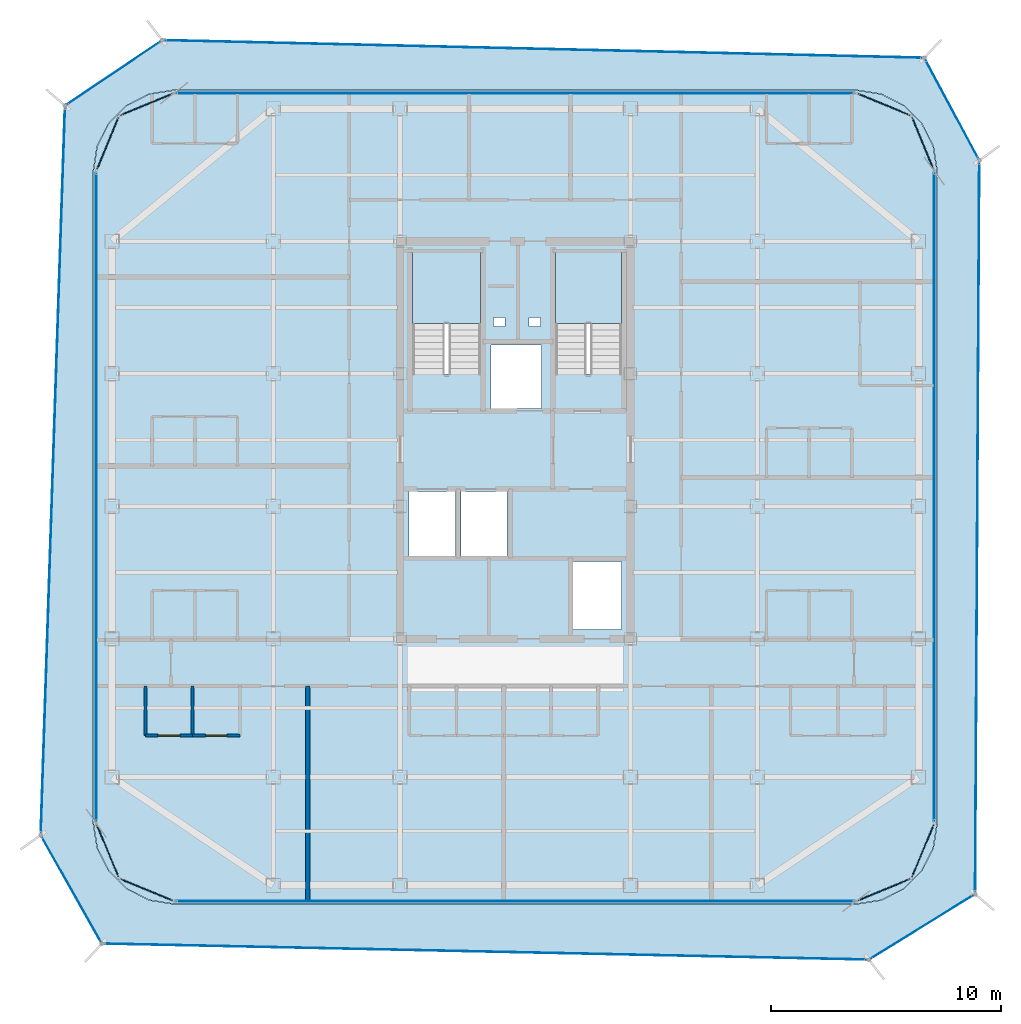
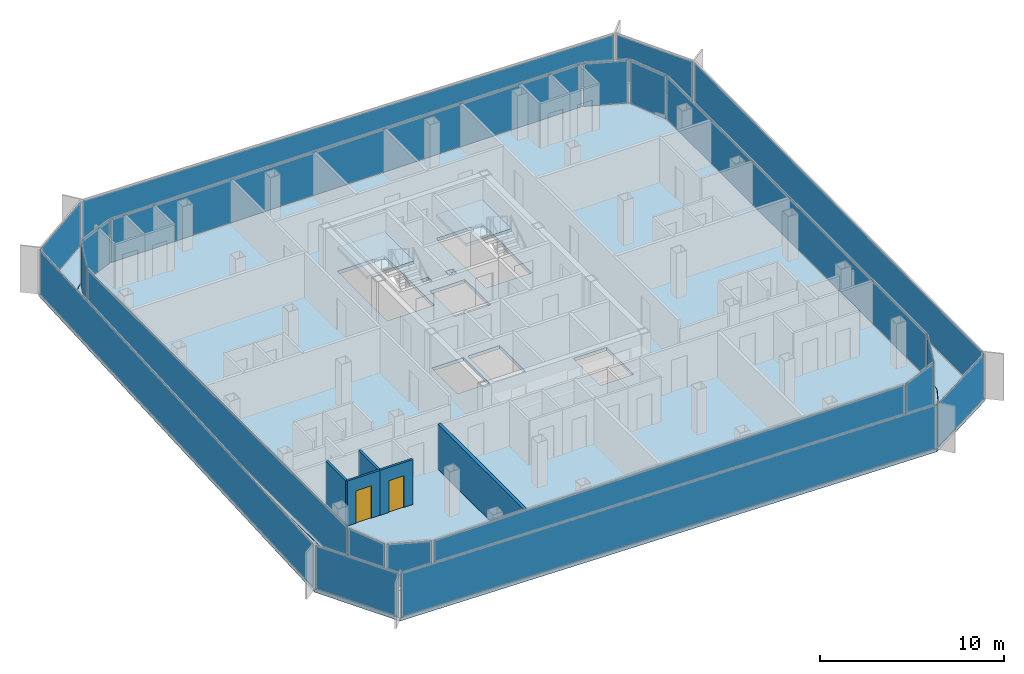
# One storey, part 9 of 16: 20 plates, 5 walls, 4 slabs, 2 doors, 2 openings, 22 elements without a shape of their own.
"""IFC4 building model written with IfcOpenShell, lengths in metres."""

from ifc_helpers import new_model, si_unit, direction, frame, frame_2d, origin, origin_2d, place, context, subcontext, project, spatial, polyline, rectangle, outline, extrude, source, transform, mapped, material, layer, layer_set, type_object, element, fill, aggregate, save


model = new_model("IFC4")

# Units and contexts
model_context = context("Model", 3, precision=1e-05, world=origin(), true_north=direction((0.0, 1.0)))
body_context = subcontext(model_context, "Body", "Model", "MODEL_VIEW")
ifc_project = project(units=[si_unit("LENGTHUNIT", "METRE"), si_unit("AREAUNIT", "SQUARE_METRE"), si_unit("VOLUMEUNIT", "CUBIC_METRE"), si_unit("PLANEANGLEUNIT", "RADIAN"), si_unit("MASSUNIT", "GRAM", prefix="KILO")], contexts=[model_context])

# Site, building, storey
site_placement = place(None, origin())
site = spatial("IfcSite", under=ifc_project, at=site_placement, CompositionType="ELEMENT")
building_placement = place(site_placement, origin())
building = spatial("IfcBuilding", under=site, at=building_placement, Name="Kolveth Station Tower", CompositionType="ELEMENT")
storey_placement = place(building_placement, frame((0.0, 0.0, 232.89990234375)))
storey = spatial("IfcBuildingStorey", under=building, at=storey_placement, Name="L66", CompositionType="ELEMENT", Elevation=232.89990234375)

# Slab
ifc_material_1 = material(Name="Concrete C40/50", Category="concrete")
ifc_layer_1 = layer(ifc_material_1, 0.219970703125)
ifc_layer_set_1 = layer_set([ifc_layer_1], Name="Concrete C40/50")
slab_type_1 = type_object("IfcSlabType", Name="Slab_SF-220", PredefinedType="FLOOR", material=ifc_layer_set_1)
slab_1_placement = place(storey_placement, frame((0.0, 0.0, -0.219970703125)))
element("IfcSlab", 1, at=slab_1_placement, inside=storey, type_object=slab_type_1, Name="L66 Tower Structural Floor Slab", PredefinedType="FLOOR", context=body_context, shape_type="SweptSolid", body=[
    extrude(outline(polyline([(38.300048828125, 0.0), (39.381591796875, 0.17138671875), (40.357177734375, 0.66845703125), (41.131591796875, 1.44287109375), (41.628662109375, 2.41845703125), (41.800048828125, 3.5), (41.800048828125, 31.800048828125), (41.628662109375, 32.881591796875), (41.131591796875, 33.857177734375), (40.357177734375, 34.631591796875), (39.381591796875, 35.128662109375), (38.300048828125, 35.300048828125), (8.699951171875, 35.300048828125), (7.618408203125, 35.128662109375), (6.642822265625, 34.631591796875), (5.868408203125, 33.857177734375), (5.371337890625, 32.881591796875), (5.199951171875, 31.800048828125), (5.199951171875, 3.5), (5.371337890625, 2.41845703125), (5.868408203125, 1.44287109375), (6.642822265625, 0.66845703125), (7.618408203125, 0.17138671875), (8.699951171875, 0.0), (38.300048828125, 0.0)]), holes=[polyline([(19.0400390625, 22.985107421875), (22.0, 22.985107421875), (22.0, 28.39990234375), (19.0400390625, 28.39990234375), (19.0400390625, 22.985107421875)]), polyline([(25.239990234375, 22.985107421875), (28.10009765625, 22.985107421875), (28.10009765625, 28.39990234375), (25.239990234375, 28.39990234375), (25.239990234375, 22.985107421875)]), polyline([(18.89990234375, 15.10009765625), (20.89990234375, 15.10009765625), (20.89990234375, 17.89990234375), (18.89990234375, 17.89990234375), (18.89990234375, 15.10009765625)]), polyline([(21.14990234375, 15.10009765625), (23.14990234375, 15.10009765625), (23.14990234375, 17.89990234375), (21.14990234375, 17.89990234375), (21.14990234375, 15.10009765625)]), polyline([(22.449951171875, 21.5), (24.64990234375, 21.5), (24.64990234375, 24.25), (22.449951171875, 24.25), (22.449951171875, 21.5)]), polyline([(26.0, 11.89990234375), (28.10009765625, 11.89990234375), (28.10009765625, 14.85009765625), (26.0, 14.85009765625), (26.0, 11.89990234375)]), polyline([(22.550048828125, 25.050048828125), (23.050048828125, 25.050048828125), (23.050048828125, 25.449951171875), (22.550048828125, 25.449951171875), (22.550048828125, 25.050048828125)]), polyline([(24.10009765625, 25.050048828125), (24.60009765625, 25.050048828125), (24.60009765625, 25.449951171875), (24.10009765625, 25.449951171875), (24.10009765625, 25.050048828125)])]), origin(), (0.0, 0.0, 1.0), 0.219970703125),
])

# Stair, slab
stair_type_1 = type_object("IfcStairType", Name="Stair_ST2", PredefinedType="HALF_TURN_STAIR", material=ifc_material_1)
stair_1_placement = place(storey_placement, origin())
stair_1 = element("IfcStair", 2, at=stair_1_placement, inside=storey, type_object=stair_type_1, Name="L66 Tower Exit Stair ST2", PredefinedType="HALF_TURN_STAIR")
ifc_layer_2 = layer(ifc_material_1, 0.18994140625)
ifc_layer_set_2 = layer_set([ifc_layer_2], Name="Concrete C40/50")
slab_type_2 = type_object("IfcSlabType", Name="Slab_SL-190", PredefinedType="LANDING", material=ifc_layer_set_2)
slab_2_placement = place(storey_placement, frame((0.0, 0.0, 1.400146484375)))
slab_2 = element("IfcSlab", 3, at=slab_2_placement, type_object=slab_type_2, Name="ST2 landing 1", PredefinedType="LANDING", context=body_context, shape_type="SweptSolid", body=[
    extrude(outline(polyline([(28.10009765625, 25.18994140625), (28.10009765625, 28.39990234375), (25.239990234375, 28.39990234375), (25.239990234375, 25.18994140625), (28.10009765625, 25.18994140625)])), origin(), (0.0, 0.0, 1.0), 0.199951171875),
])
aggregate(stair_1, [slab_2])

stair_type_2 = type_object("IfcStairType", Name="Stair_ST1", PredefinedType="HALF_TURN_STAIR", material=ifc_material_1)
stair_2_placement = place(storey_placement, origin())
stair_2 = element("IfcStair", 4, at=stair_2_placement, inside=storey, type_object=stair_type_2, Name="L66 Tower Exit Stair ST1", PredefinedType="HALF_TURN_STAIR")
ifc_layer_3 = layer(ifc_material_1, 0.205078125)
ifc_layer_set_3 = layer_set([ifc_layer_3], Name="Concrete C40/50")
slab_type_3 = type_object("IfcSlabType", Name="Slab_SL-205", PredefinedType="LANDING", material=ifc_layer_set_3)
slab_3_placement = place(storey_placement, frame((0.0, 0.0, 1.400146484375)))
slab_3 = element("IfcSlab", 5, at=slab_3_placement, type_object=slab_type_3, Name="ST1 landing 1", PredefinedType="LANDING", context=body_context, shape_type="SweptSolid", body=[
    extrude(outline(polyline([(22.0, 25.18994140625), (22.0, 28.39990234375), (19.0400390625, 28.39990234375), (19.0400390625, 25.18994140625), (22.0, 25.18994140625)])), origin(), (0.0, 0.0, 1.0), 0.199951171875),
])
aggregate(stair_2, [slab_3])

# Slab
ifc_layer_4 = layer(ifc_material_1, 0.2099609375)
ifc_layer_set_4 = layer_set([ifc_layer_4], Name="Concrete C40/50")
slab_type_4 = type_object("IfcSlabType", Name="Slab_ST-210", PredefinedType="FLOOR", material=ifc_layer_set_4)
slab_4_placement = place(storey_placement, frame((0.0, 0.0, -0.2099609375)))
element("IfcSlab", 6, at=slab_4_placement, inside=storey, type_object=slab_type_4, Name="L66 Double-Skin Cavity Structural Ledger Ring", PredefinedType="FLOOR", context=body_context, shape_type="SweptSolid", body=[
    extrude(outline(polyline([(5.568359375, -1.724853515625), (2.91455078125, 2.986328125), (3.968994140625, 34.630615234375), (8.185791015625, 37.471923828125), (41.25, 36.70751953125), (43.63818359375, 32.25830078125), (43.45654296875, 0.425537109375), (38.844970703125, -2.4208984375), (5.568359375, -1.724853515625)]), holes=[polyline([(38.30224609375, -0.014892578125), (39.3837890625, 0.156494140625), (39.388427734375, 0.157958984375), (40.364013671875, 0.655029296875), (40.367919921875, 0.65771484375), (41.14208984375, 1.43212890625), (41.14501953125, 1.43603515625), (41.64208984375, 2.41162109375), (41.6435546875, 2.416015625), (41.814697265625, 3.497802734375), (41.81494140625, 3.5), (41.81494140625, 31.800048828125), (41.814697265625, 31.80224609375), (41.6435546875, 32.8837890625), (41.64208984375, 32.888427734375), (41.14501953125, 33.864013671875), (41.14208984375, 33.867919921875), (40.367919921875, 34.64208984375), (40.364013671875, 34.64501953125), (39.388427734375, 35.14208984375), (39.3837890625, 35.1435546875), (38.30224609375, 35.314697265625), (38.300048828125, 35.31494140625), (8.699951171875, 35.31494140625), (8.69775390625, 35.314697265625), (7.6162109375, 35.1435546875), (7.611572265625, 35.14208984375), (6.635986328125, 34.64501953125), (6.632080078125, 34.64208984375), (5.85791015625, 33.867919921875), (5.85498046875, 33.864013671875), (5.35791015625, 32.888427734375), (5.3564453125, 32.8837890625), (5.185302734375, 31.80224609375), (5.18505859375, 31.800048828125), (5.18505859375, 3.5), (5.185302734375, 3.497802734375), (5.3564453125, 2.416015625), (5.35791015625, 2.41162109375), (5.85498046875, 1.43603515625), (5.85791015625, 1.43212890625), (6.632080078125, 0.65771484375), (6.635986328125, 0.655029296875), (7.611572265625, 0.157958984375), (7.6162109375, 0.156494140625), (8.69775390625, -0.014892578125), (8.699951171875, -0.014892578125), (38.300048828125, -0.014892578125), (38.30224609375, -0.014892578125)])]), origin(), (0.0, 0.0, 1.0), 0.2099609375),
])

# Curtain wall, plate
ifc_material_2 = material(Name="Aluminium 6063-T6 and triple low-E dark glass", Category="aluminium")
ifc_layer_5 = layer(ifc_material_2, 0.199951171875)
ifc_layer_set_5 = layer_set([ifc_layer_5], Name="Aluminium 6063-T6 and triple low-E dark glass")
curtain_wall_type_1 = type_object("IfcCurtainWallType", Name="CurtainWall_CW-Z3", PredefinedType="NOTDEFINED", material=ifc_layer_set_5)
curtain_wall_1_placement = place(storey_placement, origin())
curtain_wall_1 = element("IfcCurtainWall", 7, at=curtain_wall_1_placement, inside=storey, type_object=curtain_wall_type_1, Name="L66 Inner Thermal Curtain Wall 1", PredefinedType="NOTDEFINED")
ifc_material_3 = material(Name="Architectural low-E dark glass", Category="glass")
ifc_layer_6 = layer(ifc_material_3, 0.0419921875)
ifc_layer_set_6 = layer_set([ifc_layer_6], Name="Architectural low-E dark glass")
plate_type_1 = type_object("IfcPlateType", Name="Panel_GL3", PredefinedType="CURTAIN_PANEL", material=ifc_layer_set_6)
shared_shape_1 = source(origin(), body_context, "Body", "SweptSolid", [
    extrude(rectangle(XDim=2.430908203125, YDim=0.0419921875, at=origin_2d()), origin(), (0.0, 0.0, 1.0), 2.823974609375),
])
plate_1_placement = place(storey_placement, frame((39.4951171875, 0.614990234375, 0.078125), z_axis=(0.0, 0.0, 1.0), x_axis=(0.923875488975, 0.382693194181, 0.0)))
plate_1 = element("IfcPlate", 8, at=plate_1_placement, type_object=plate_type_1, Name="CW-Z3 panel 1.1", PredefinedType="CURTAIN_PANEL", context=body_context, shape_type="MappedRepresentation", body=[
    mapped(shared_shape_1, transform((0.0, 0.0, 0.0), x_axis=(1.0, 0.0, 0.0), y_axis=(0.0, 1.0, 0.0), z_axis=(0.0, 0.0, 1.0), scale=1.0)),
])
aggregate(curtain_wall_1, [plate_1])

curtain_wall_2_placement = place(storey_placement, origin())
curtain_wall_2 = element("IfcCurtainWall", 9, at=curtain_wall_2_placement, inside=storey, type_object=curtain_wall_type_1, Name="L66 Inner Thermal Curtain Wall 2", PredefinedType="NOTDEFINED")
plate_2_placement = place(storey_placement, frame((41.18505859375, 2.304931640625, 0.078125), z_axis=(0.0, 0.0, 1.0), x_axis=(0.382693194181, 0.923875488975, 0.0)))
plate_2 = element("IfcPlate", 10, at=plate_2_placement, type_object=plate_type_1, Name="CW-Z3 panel 1.1", PredefinedType="CURTAIN_PANEL", context=body_context, shape_type="MappedRepresentation", body=[
    mapped(shared_shape_1, transform((0.0, 0.0, 0.0), x_axis=(1.0, 0.0, 0.0), y_axis=(0.0, 1.0, 0.0), z_axis=(0.0, 0.0, 1.0), scale=1.0)),
])
aggregate(curtain_wall_2, [plate_2])

curtain_wall_3_placement = place(storey_placement, origin())
curtain_wall_3 = element("IfcCurtainWall", 11, at=curtain_wall_3_placement, inside=storey, type_object=curtain_wall_type_1, Name="L66 Inner Thermal Curtain Wall 4", PredefinedType="NOTDEFINED")
plate_3_placement = place(storey_placement, frame((41.18505859375, 32.9951171875, 0.078125), z_axis=(0.0, 0.0, 1.0), x_axis=(-0.382693194181, 0.923875488975, 0.0)))
plate_3 = element("IfcPlate", 12, at=plate_3_placement, type_object=plate_type_1, Name="CW-Z3 panel 1.1", PredefinedType="CURTAIN_PANEL", context=body_context, shape_type="MappedRepresentation", body=[
    mapped(shared_shape_1, transform((0.0, 0.0, 0.0), x_axis=(1.0, 0.0, 0.0), y_axis=(0.0, 1.0, 0.0), z_axis=(0.0, 0.0, 1.0), scale=1.0)),
])
aggregate(curtain_wall_3, [plate_3])

curtain_wall_4_placement = place(storey_placement, origin())
curtain_wall_4 = element("IfcCurtainWall", 13, at=curtain_wall_4_placement, inside=storey, type_object=curtain_wall_type_1, Name="L66 Inner Thermal Curtain Wall 5", PredefinedType="NOTDEFINED")
plate_4_placement = place(storey_placement, frame((39.4951171875, 34.68505859375, 0.078125), z_axis=(0.0, 0.0, 1.0), x_axis=(-0.923875488975, 0.382693194181, 0.0)))
plate_4 = element("IfcPlate", 14, at=plate_4_placement, type_object=plate_type_1, Name="CW-Z3 panel 1.1", PredefinedType="CURTAIN_PANEL", context=body_context, shape_type="MappedRepresentation", body=[
    mapped(shared_shape_1, transform((0.0, 0.0, 0.0), x_axis=(1.0, 0.0, 0.0), y_axis=(0.0, 1.0, 0.0), z_axis=(0.0, 0.0, 1.0), scale=1.0)),
])
aggregate(curtain_wall_4, [plate_4])

curtain_wall_5_placement = place(storey_placement, origin())
curtain_wall_5 = element("IfcCurtainWall", 15, at=curtain_wall_5_placement, inside=storey, type_object=curtain_wall_type_1, Name="L66 Inner Thermal Curtain Wall 7", PredefinedType="NOTDEFINED")
plate_5_placement = place(storey_placement, frame((7.5048828125, 34.68505859375, 0.078125), z_axis=(0.0, 0.0, 1.0), x_axis=(-0.923875488975, -0.382693194181, 0.0)))
plate_5 = element("IfcPlate", 16, at=plate_5_placement, type_object=plate_type_1, Name="CW-Z3 panel 1.1", PredefinedType="CURTAIN_PANEL", context=body_context, shape_type="MappedRepresentation", body=[
    mapped(shared_shape_1, transform((0.0, 0.0, 0.0), x_axis=(1.0, 0.0, 0.0), y_axis=(0.0, 1.0, 0.0), z_axis=(0.0, 0.0, 1.0), scale=1.0)),
])
aggregate(curtain_wall_5, [plate_5])

curtain_wall_6_placement = place(storey_placement, origin())
curtain_wall_6 = element("IfcCurtainWall", 17, at=curtain_wall_6_placement, inside=storey, type_object=curtain_wall_type_1, Name="L66 Inner Thermal Curtain Wall 8", PredefinedType="NOTDEFINED")
plate_6_placement = place(storey_placement, frame((5.81494140625, 32.9951171875, 0.078125), z_axis=(0.0, 0.0, 1.0), x_axis=(-0.382693194181, -0.923875488975, 0.0)))
plate_6 = element("IfcPlate", 18, at=plate_6_placement, type_object=plate_type_1, Name="CW-Z3 panel 1.1", PredefinedType="CURTAIN_PANEL", context=body_context, shape_type="MappedRepresentation", body=[
    mapped(shared_shape_1, transform((0.0, 0.0, 0.0), x_axis=(1.0, 0.0, 0.0), y_axis=(0.0, 1.0, 0.0), z_axis=(0.0, 0.0, 1.0), scale=1.0)),
])
aggregate(curtain_wall_6, [plate_6])

curtain_wall_7_placement = place(storey_placement, origin())
curtain_wall_7 = element("IfcCurtainWall", 19, at=curtain_wall_7_placement, inside=storey, type_object=curtain_wall_type_1, Name="L66 Inner Thermal Curtain Wall 10", PredefinedType="NOTDEFINED")
plate_7_placement = place(storey_placement, frame((5.81494140625, 2.304931640625, 0.078125), z_axis=(0.0, 0.0, 1.0), x_axis=(0.382693194181, -0.923875488975, 0.0)))
plate_7 = element("IfcPlate", 20, at=plate_7_placement, type_object=plate_type_1, Name="CW-Z3 panel 1.1", PredefinedType="CURTAIN_PANEL", context=body_context, shape_type="MappedRepresentation", body=[
    mapped(shared_shape_1, transform((0.0, 0.0, 0.0), x_axis=(1.0, 0.0, 0.0), y_axis=(0.0, 1.0, 0.0), z_axis=(0.0, 0.0, 1.0), scale=1.0)),
])
aggregate(curtain_wall_7, [plate_7])

curtain_wall_8_placement = place(storey_placement, origin())
curtain_wall_8 = element("IfcCurtainWall", 21, at=curtain_wall_8_placement, inside=storey, type_object=curtain_wall_type_1, Name="L66 Inner Thermal Curtain Wall 11", PredefinedType="NOTDEFINED")
plate_8_placement = place(storey_placement, frame((7.5048828125, 0.614990234375, 0.078125), z_axis=(0.0, 0.0, 1.0), x_axis=(0.923875488975, -0.382693194181, 0.0)))
plate_8 = element("IfcPlate", 22, at=plate_8_placement, type_object=plate_type_1, Name="CW-Z3 panel 1.1", PredefinedType="CURTAIN_PANEL", context=body_context, shape_type="MappedRepresentation", body=[
    mapped(shared_shape_1, transform((0.0, 0.0, 0.0), x_axis=(1.0, 0.0, 0.0), y_axis=(0.0, 1.0, 0.0), z_axis=(0.0, 0.0, 1.0), scale=1.0)),
])
aggregate(curtain_wall_8, [plate_8])

curtain_wall_9_placement = place(storey_placement, origin())
curtain_wall_9 = element("IfcCurtainWall", 23, at=curtain_wall_9_placement, inside=storey, type_object=curtain_wall_type_1, Name="L66 Inner Thermal Curtain Wall 3", PredefinedType="NOTDEFINED")
shared_shape_2 = source(origin(), body_context, "Body", "SweptSolid", [
    extrude(rectangle(XDim=28.14404296875, YDim=0.0419921875, at=origin_2d()), origin(), (0.0, 0.0, 1.0), 2.823974609375),
])
plate_9_placement = place(storey_placement, frame((41.679931640625, 17.64990234375, 0.078125), z_axis=(0.0, 0.0, 1.0), x_axis=(0.0, 1.0, 0.0)))
plate_9 = element("IfcPlate", 24, at=plate_9_placement, type_object=plate_type_1, Name="CW-Z3 panel 1.1", PredefinedType="CURTAIN_PANEL", context=body_context, shape_type="MappedRepresentation", body=[
    mapped(shared_shape_2, transform((0.0, 0.0, 0.0), x_axis=(1.0, 0.0, 0.0), y_axis=(0.0, 1.0, 0.0), z_axis=(0.0, 0.0, 1.0), scale=1.0)),
])
aggregate(curtain_wall_9, [plate_9])

curtain_wall_10_placement = place(storey_placement, origin())
curtain_wall_10 = element("IfcCurtainWall", 25, at=curtain_wall_10_placement, inside=storey, type_object=curtain_wall_type_1, Name="L66 Inner Thermal Curtain Wall 9", PredefinedType="NOTDEFINED")
plate_10_placement = place(storey_placement, frame((5.320068359375, 17.64990234375, 0.078125), z_axis=(0.0, 0.0, 1.0), x_axis=(0.0, -1.0, 0.0)))
plate_10 = element("IfcPlate", 26, at=plate_10_placement, type_object=plate_type_1, Name="CW-Z3 panel 1.1", PredefinedType="CURTAIN_PANEL", context=body_context, shape_type="MappedRepresentation", body=[
    mapped(shared_shape_2, transform((0.0, 0.0, 0.0), x_axis=(1.0, 0.0, 0.0), y_axis=(0.0, 1.0, 0.0), z_axis=(0.0, 0.0, 1.0), scale=1.0)),
])
aggregate(curtain_wall_10, [plate_10])

curtain_wall_11_placement = place(storey_placement, origin())
curtain_wall_11 = element("IfcCurtainWall", 27, at=curtain_wall_11_placement, inside=storey, type_object=curtain_wall_type_1, Name="L66 Inner Thermal Curtain Wall 6", PredefinedType="NOTDEFINED")
shared_shape_3 = source(origin(), body_context, "Body", "SweptSolid", [
    extrude(rectangle(XDim=29.444091796875, YDim=0.0419921875, at=origin_2d()), origin(), (0.0, 0.0, 1.0), 2.823974609375),
])
plate_11_placement = place(storey_placement, frame((23.5, 35.179931640625, 0.078125), z_axis=(0.0, 0.0, 1.0), x_axis=(-1.0, 0.0, 0.0)))
plate_11 = element("IfcPlate", 28, at=plate_11_placement, type_object=plate_type_1, Name="CW-Z3 panel 1.1", PredefinedType="CURTAIN_PANEL", context=body_context, shape_type="MappedRepresentation", body=[
    mapped(shared_shape_3, transform((0.0, 0.0, 0.0), x_axis=(1.0, 0.0, 0.0), y_axis=(0.0, 1.0, 0.0), z_axis=(0.0, 0.0, 1.0), scale=1.0)),
])
aggregate(curtain_wall_11, [plate_11])

curtain_wall_12_placement = place(storey_placement, origin())
curtain_wall_12 = element("IfcCurtainWall", 29, at=curtain_wall_12_placement, inside=storey, type_object=curtain_wall_type_1, Name="L66 Inner Thermal Curtain Wall 12", PredefinedType="NOTDEFINED")
plate_12_placement = place(storey_placement, frame((23.5, 0.1201171875, 0.078125), z_axis=(0.0, 0.0, 1.0), x_axis=(1.0, 0.0, 0.0)))
plate_12 = element("IfcPlate", 30, at=plate_12_placement, type_object=plate_type_1, Name="CW-Z3 panel 1.1", PredefinedType="CURTAIN_PANEL", context=body_context, shape_type="MappedRepresentation", body=[
    mapped(shared_shape_3, transform((0.0, 0.0, 0.0), x_axis=(1.0, 0.0, 0.0), y_axis=(0.0, 1.0, 0.0), z_axis=(0.0, 0.0, 1.0), scale=1.0)),
])
aggregate(curtain_wall_12, [plate_12])

ifc_material_4 = material(Name="Black anodized aluminium 6063-T6 and dark solar glass", Category="aluminium")
ifc_layer_7 = layer(ifc_material_4, 0.159912109375)
ifc_layer_set_7 = layer_set([ifc_layer_7], Name="Black anodized aluminium 6063-T6 and dark solar glass")
curtain_wall_type_2 = type_object("IfcCurtainWallType", Name="OUTER SKIN CW-OS", PredefinedType="NOTDEFINED", material=ifc_layer_set_7)
curtain_wall_13_placement = place(storey_placement, origin())
curtain_wall_13 = element("IfcCurtainWall", 31, at=curtain_wall_13_placement, inside=storey, type_object=curtain_wall_type_2, Name="L66 Outer Ventilated Skin Curtain Wall 1", PredefinedType="NOTDEFINED")
ifc_layer_8 = layer(ifc_material_3, 0.028076171875)
ifc_layer_set_8 = layer_set([ifc_layer_8], Name="Architectural low-E dark glass")
plate_type_2 = type_object("IfcPlateType", Name="Panel_GL-OS", PredefinedType="CURTAIN_PANEL", material=ifc_layer_set_8)
shared_shape_4 = source(origin(), body_context, "Body", "SweptSolid", [
    extrude(rectangle(XDim=5.25341796875, YDim=0.028076171875, at=origin_2d()), origin(), (0.0, 0.0, 1.0), 2.843994140625),
])
plate_13_placement = place(storey_placement, frame((41.150634765625, -0.99755859375, 0.0732421875), z_axis=(0.0, 0.0, 1.0), x_axis=(0.850958103397, 0.525233573055, 0.0)))
plate_13 = element("IfcPlate", 32, at=plate_13_placement, type_object=plate_type_2, Name="CW-OS panel 1.1", PredefinedType="CURTAIN_PANEL", context=body_context, shape_type="MappedRepresentation", body=[
    mapped(shared_shape_4, transform((0.0, 0.0, 0.0), x_axis=(1.0, 0.0, 0.0), y_axis=(0.0, 1.0, 0.0), z_axis=(0.0, 0.0, 1.0), scale=1.0)),
])
aggregate(curtain_wall_13, [plate_13])

curtain_wall_14_placement = place(storey_placement, origin())
curtain_wall_14 = element("IfcCurtainWall", 33, at=curtain_wall_14_placement, inside=storey, type_object=curtain_wall_type_2, Name="L66 Outer Ventilated Skin Curtain Wall 2", PredefinedType="NOTDEFINED")
shared_shape_5 = source(origin(), body_context, "Body", "SweptSolid", [
    extrude(rectangle(XDim=31.667236328125, YDim=0.028076171875, at=origin_2d()), origin(), (0.0, 0.0, 1.0), 2.843994140625),
])
plate_14_placement = place(storey_placement, frame((43.54736328125, 16.342041015625, 0.0732421875), z_axis=(0.0, 0.0, 1.0), x_axis=(0.005711015244, 0.999983692019, 0.0)))
plate_14 = element("IfcPlate", 34, at=plate_14_placement, type_object=plate_type_2, Name="CW-OS panel 1.1", PredefinedType="CURTAIN_PANEL", context=body_context, shape_type="MappedRepresentation", body=[
    mapped(shared_shape_5, transform((0.0, 0.0, 0.0), x_axis=(1.0, 0.0, 0.0), y_axis=(0.0, 1.0, 0.0), z_axis=(0.0, 0.0, 1.0), scale=1.0)),
])
aggregate(curtain_wall_14, [plate_14])

curtain_wall_15_placement = place(storey_placement, origin())
curtain_wall_15 = element("IfcCurtainWall", 35, at=curtain_wall_15_placement, inside=storey, type_object=curtain_wall_type_2, Name="L66 Outer Ventilated Skin Curtain Wall 3", PredefinedType="NOTDEFINED")
shared_shape_6 = source(origin(), body_context, "Body", "SweptSolid", [
    extrude(rectangle(XDim=4.883544921875, YDim=0.028076171875, at=origin_2d()), origin(), (0.0, 0.0, 1.0), 2.843994140625),
])
plate_15_placement = place(storey_placement, frame((42.444091796875, 34.48291015625, 0.0732421875), z_axis=(0.0, 0.0, 1.0), x_axis=(-0.472983459259, 0.881071306573, 0.0)))
plate_15 = element("IfcPlate", 36, at=plate_15_placement, type_object=plate_type_2, Name="CW-OS panel 1.1", PredefinedType="CURTAIN_PANEL", context=body_context, shape_type="MappedRepresentation", body=[
    mapped(shared_shape_6, transform((0.0, 0.0, 0.0), x_axis=(1.0, 0.0, 0.0), y_axis=(0.0, 1.0, 0.0), z_axis=(0.0, 0.0, 1.0), scale=1.0)),
])
aggregate(curtain_wall_15, [plate_15])

curtain_wall_16_placement = place(storey_placement, origin())
curtain_wall_16 = element("IfcCurtainWall", 37, at=curtain_wall_16_placement, inside=storey, type_object=curtain_wall_type_2, Name="L66 Outer Ventilated Skin Curtain Wall 4", PredefinedType="NOTDEFINED")
shared_shape_7 = source(origin(), body_context, "Body", "SweptSolid", [
    extrude(rectangle(XDim=32.90673828125, YDim=0.028076171875, at=origin_2d()), origin(), (0.0, 0.0, 1.0), 2.843994140625),
])
plate_16_placement = place(storey_placement, frame((24.718017578125, 37.089599609375, 0.0732421875), z_axis=(0.0, 0.0, 1.0), x_axis=(-0.999732797753, 0.023115646129, 0.0)))
plate_16 = element("IfcPlate", 38, at=plate_16_placement, type_object=plate_type_2, Name="CW-OS panel 1.1", PredefinedType="CURTAIN_PANEL", context=body_context, shape_type="MappedRepresentation", body=[
    mapped(shared_shape_7, transform((0.0, 0.0, 0.0), x_axis=(1.0, 0.0, 0.0), y_axis=(0.0, 1.0, 0.0), z_axis=(0.0, 0.0, 1.0), scale=1.0)),
])
aggregate(curtain_wall_16, [plate_16])

curtain_wall_17_placement = place(storey_placement, origin())
curtain_wall_17 = element("IfcCurtainWall", 39, at=curtain_wall_17_placement, inside=storey, type_object=curtain_wall_type_2, Name="L66 Outer Ventilated Skin Curtain Wall 5", PredefinedType="NOTDEFINED")
shared_shape_8 = source(origin(), body_context, "Body", "SweptSolid", [
    extrude(rectangle(XDim=4.918701171875, YDim=0.028076171875, at=origin_2d()), origin(), (0.0, 0.0, 1.0), 2.843994140625),
])
plate_17_placement = place(storey_placement, frame((6.077392578125, 36.05126953125, 0.0732421875), z_axis=(0.0, 0.0, 1.0), x_axis=(-0.829329428738, -0.558759965127, 0.0)))
plate_17 = element("IfcPlate", 40, at=plate_17_placement, type_object=plate_type_2, Name="CW-OS panel 1.1", PredefinedType="CURTAIN_PANEL", context=body_context, shape_type="MappedRepresentation", body=[
    mapped(shared_shape_8, transform((0.0, 0.0, 0.0), x_axis=(1.0, 0.0, 0.0), y_axis=(0.0, 1.0, 0.0), z_axis=(0.0, 0.0, 1.0), scale=1.0)),
])
aggregate(curtain_wall_17, [plate_17])

curtain_wall_18_placement = place(storey_placement, origin())
curtain_wall_18 = element("IfcCurtainWall", 41, at=curtain_wall_18_placement, inside=storey, type_object=curtain_wall_type_2, Name="L66 Outer Ventilated Skin Curtain Wall 6", PredefinedType="NOTDEFINED")
shared_shape_9 = source(origin(), body_context, "Body", "SweptSolid", [
    extrude(rectangle(XDim=31.49609375, YDim=0.028076171875, at=origin_2d()), origin(), (0.0, 0.0, 1.0), 2.843994140625),
])
plate_18_placement = place(storey_placement, frame((3.441650390625, 18.80859375, 0.0732421875), z_axis=(0.0, 0.0, 1.0), x_axis=(-0.033301790141, -0.999445341564, 0.0)))
plate_18 = element("IfcPlate", 42, at=plate_18_placement, type_object=plate_type_2, Name="CW-OS panel 1.1", PredefinedType="CURTAIN_PANEL", context=body_context, shape_type="MappedRepresentation", body=[
    mapped(shared_shape_9, transform((0.0, 0.0, 0.0), x_axis=(1.0, 0.0, 0.0), y_axis=(0.0, 1.0, 0.0), z_axis=(0.0, 0.0, 1.0), scale=1.0)),
])
aggregate(curtain_wall_18, [plate_18])

curtain_wall_19_placement = place(storey_placement, origin())
curtain_wall_19 = element("IfcCurtainWall", 43, at=curtain_wall_19_placement, inside=storey, type_object=curtain_wall_type_2, Name="L66 Outer Ventilated Skin Curtain Wall 7", PredefinedType="NOTDEFINED")
shared_shape_10 = source(origin(), body_context, "Body", "SweptSolid", [
    extrude(rectangle(XDim=5.2412109375, YDim=0.028076171875, at=origin_2d()), origin(), (0.0, 0.0, 1.0), 2.843994140625),
])
plate_19_placement = place(storey_placement, frame((4.241455078125, 0.630615234375, 0.0732421875), z_axis=(0.0, 0.0, 1.0), x_axis=(0.490802014833, -0.871271130152, 0.0)))
plate_19 = element("IfcPlate", 44, at=plate_19_placement, type_object=plate_type_2, Name="CW-OS panel 1.1", PredefinedType="CURTAIN_PANEL", context=body_context, shape_type="MappedRepresentation", body=[
    mapped(shared_shape_10, transform((0.0, 0.0, 0.0), x_axis=(1.0, 0.0, 0.0), y_axis=(0.0, 1.0, 0.0), z_axis=(0.0, 0.0, 1.0), scale=1.0)),
])
aggregate(curtain_wall_19, [plate_19])

curtain_wall_20_placement = place(storey_placement, origin())
curtain_wall_20 = element("IfcCurtainWall", 45, at=curtain_wall_20_placement, inside=storey, type_object=curtain_wall_type_2, Name="L66 Outer Ventilated Skin Curtain Wall 8", PredefinedType="NOTDEFINED")
shared_shape_11 = source(origin(), body_context, "Body", "SweptSolid", [
    extrude(rectangle(XDim=33.117919921875, YDim=0.028076171875, at=origin_2d()), origin(), (0.0, 0.0, 1.0), 2.843994140625),
])
plate_20_placement = place(storey_placement, frame((22.20654296875, -2.07275390625, 0.0732421875), z_axis=(0.0, 0.0, 1.0), x_axis=(0.999781402106, -0.020908084612, 0.0)))
plate_20 = element("IfcPlate", 46, at=plate_20_placement, type_object=plate_type_2, Name="CW-OS panel 1.1", PredefinedType="CURTAIN_PANEL", context=body_context, shape_type="MappedRepresentation", body=[
    mapped(shared_shape_11, transform((0.0, 0.0, 0.0), x_axis=(1.0, 0.0, 0.0), y_axis=(0.0, 1.0, 0.0), z_axis=(0.0, 0.0, 1.0), scale=1.0)),
])
aggregate(curtain_wall_20, [plate_20])

# Wall, opening, door
ifc_material_5 = material(Name="Moisture-resistant gypsum partition")
ifc_layer_9 = layer(ifc_material_5, 0.135009765625)
ifc_layer_set_9 = layer_set([ifc_layer_9], Name="Moisture-resistant gypsum partition")
wall_type_1 = type_object("IfcWallType", Name="Wall_IW-135", PredefinedType="PARTITIONING", material=ifc_layer_set_9)
wall_1_placement = place(storey_placement, frame((7.449951171875, 7.300048828125, 0.0), z_axis=(0.0, 0.0, 1.0), x_axis=(1.0, 0.0, 0.0)))
wall_1 = element("IfcWall", 47, at=wall_1_placement, inside=storey, type_object=wall_type_1, Name="L66 Partition Wall WL-L66-A1-IBHK", PredefinedType="PARTITIONING", context=body_context, shape_type="SweptSolid", body=[
    extrude(rectangle(XDim=2.050048828125, YDim=0.135009765625, at=frame_2d((1.02490234375, 0.0))), origin(), (0.0, 0.0, 1.0), 2.97998046875),
])
opening_1_placement = place(wall_1_placement, frame((0.544921875, 0.0, 0.0)))
opening_1 = element("IfcOpeningElement", 48, at=opening_1_placement, cuts=wall_1, Name="Opening ID1", PredefinedType="OPENING", context=body_context, shape_type="SweptSolid", body=[
    extrude(rectangle(XDim=0.949951171875, YDim=2.14990234375, at=frame_2d((0.47509765625, 1.074951171875))), frame((0.0, 0.077392578125, 0.0), z_axis=(0.0, -1.0, 0.0), x_axis=(1.0, 0.0, 0.0)), (0.0, 0.0, 1.0), 0.155029296875),
])
ifc_material_6 = material(Name="Acoustic hardwood leaf and aluminium frame", Category="wood")
door_type_1 = type_object("IfcDoorType", Name="Door_ID1", OperationType="NOTDEFINED", PredefinedType="DOOR", material=ifc_material_6)
door_1_placement = place(opening_1_placement, origin())
door_1 = element("IfcDoor", 49, at=door_1_placement, inside=storey, type_object=door_type_1, Name="Flat L66-A1 Kitchen Door", OperationType="SINGLE_SWING_RIGHT", OverallHeight=2.14990234375, OverallWidth=0.949951171875, PredefinedType="DOOR", context=body_context, shape_type="SweptSolid", body=[
    extrude(rectangle(XDim=0.949951171875, YDim=2.14990234375, at=frame_2d((0.47509765625, 1.074951171875))), frame((0.0, 0.02490234375, 0.0), z_axis=(0.0, -1.0, 0.0), x_axis=(1.0, 0.0, 0.0)), (0.0, 0.0, 1.0), 0.050048828125),
])
fill(opening_1, door_1)

wall_2_placement = place(storey_placement, frame((9.5, 7.300048828125, 0.0), z_axis=(0.0, 0.0, 1.0), x_axis=(1.0, 0.0, 0.0)))
wall_2 = element("IfcWall", 50, at=wall_2_placement, inside=storey, type_object=wall_type_1, Name="L66 Partition Wall WL-L66-A1-IBHB", PredefinedType="PARTITIONING", context=body_context, shape_type="SweptSolid", body=[
    extrude(rectangle(XDim=2.050048828125, YDim=0.135009765625, at=frame_2d((1.02490234375, 0.0))), origin(), (0.0, 0.0, 1.0), 2.97998046875),
])
opening_2_placement = place(wall_2_placement, frame((0.56494140625, 0.0, 0.0)))
opening_2 = element("IfcOpeningElement", 51, at=opening_2_placement, cuts=wall_2, Name="Opening ID2", PredefinedType="OPENING", context=body_context, shape_type="SweptSolid", body=[
    extrude(rectangle(XDim=0.919921875, YDim=2.10009765625, at=frame_2d((0.4599609375, 1.050048828125))), frame((0.0, 0.077392578125, 0.0), z_axis=(0.0, -1.0, 0.0), x_axis=(1.0, 0.0, 0.0)), (0.0, 0.0, 1.0), 0.155029296875),
])
ifc_material_7 = material(Name="Moisture-resistant hardwood leaf", Category="wood")
door_type_2 = type_object("IfcDoorType", Name="Door_ID2", OperationType="NOTDEFINED", PredefinedType="DOOR", material=ifc_material_7)
door_2_placement = place(opening_2_placement, origin())
door_2 = element("IfcDoor", 52, at=door_2_placement, inside=storey, type_object=door_type_2, Name="Flat L66-A1 Bathroom Door", OperationType="SINGLE_SWING_LEFT", OverallHeight=2.10009765625, OverallWidth=0.919921875, PredefinedType="DOOR", context=body_context, shape_type="SweptSolid", body=[
    extrude(rectangle(XDim=0.919921875, YDim=2.10009765625, at=frame_2d((0.4599609375, 1.050048828125))), frame((0.0, 0.02490234375, 0.0), z_axis=(0.0, -1.0, 0.0), x_axis=(1.0, 0.0, 0.0)), (0.0, 0.0, 1.0), 0.050048828125),
])
fill(opening_2, door_2)

# Walls
for number, where, z_axis, x_axis, name in (
    (53, (7.449951171875, 7.300048828125, 0.0), (0.0, 0.0, 1.0), (0.0, 1.0, 0.0), "L66 Partition Wall WL-L66-A1-IBV0"),
    (54, (9.5, 7.300048828125, 0.0), (0.0, 0.0, 1.0), (0.0, 1.0, 0.0), "L66 Partition Wall WL-L66-A1-IBV1"),
):
    element("IfcWall", number, at=place(storey_placement, frame(where, z_axis=z_axis, x_axis=x_axis)), inside=storey, type_object=wall_type_1, Name=name, PredefinedType="PARTITIONING", context=body_context, shape_type="SweptSolid", body=[
        extrude(rectangle(XDim=2.14990234375, YDim=0.135009765625, at=frame_2d((1.074951171875, 0.0))), origin(), (0.0, 0.0, 1.0), 2.97998046875),
    ])
ifc_material_8 = material(Name="Acoustic fire-rated gypsum blockwork", Category="masonry")
ifc_layer_10 = layer(ifc_material_8, 0.199951171875)
ifc_layer_set_10 = layer_set([ifc_layer_10], Name="Acoustic fire-rated gypsum blockwork")
wall_type_2 = type_object("IfcWallType", Name="Wall_IW-200", PredefinedType="PARTITIONING", material=ifc_layer_set_10)
wall_3_placement = place(storey_placement, frame((14.5, 0.159912109375, 0.0), z_axis=(0.0, 0.0, 1.0), x_axis=(0.0, 1.0, 0.0)))
element("IfcWall", 55, at=wall_3_placement, inside=storey, type_object=wall_type_2, Name="L66 Partition Wall WL-L66-RSU-1", PredefinedType="PARTITIONING", context=body_context, shape_type="SweptSolid", body=[
    extrude(rectangle(XDim=9.2900390625, YDim=0.199951171875, at=frame_2d((4.64501953125, 0.0))), origin(), (0.0, 0.0, 1.0), 2.97998046875),
])

save(model, "model.ifc")
